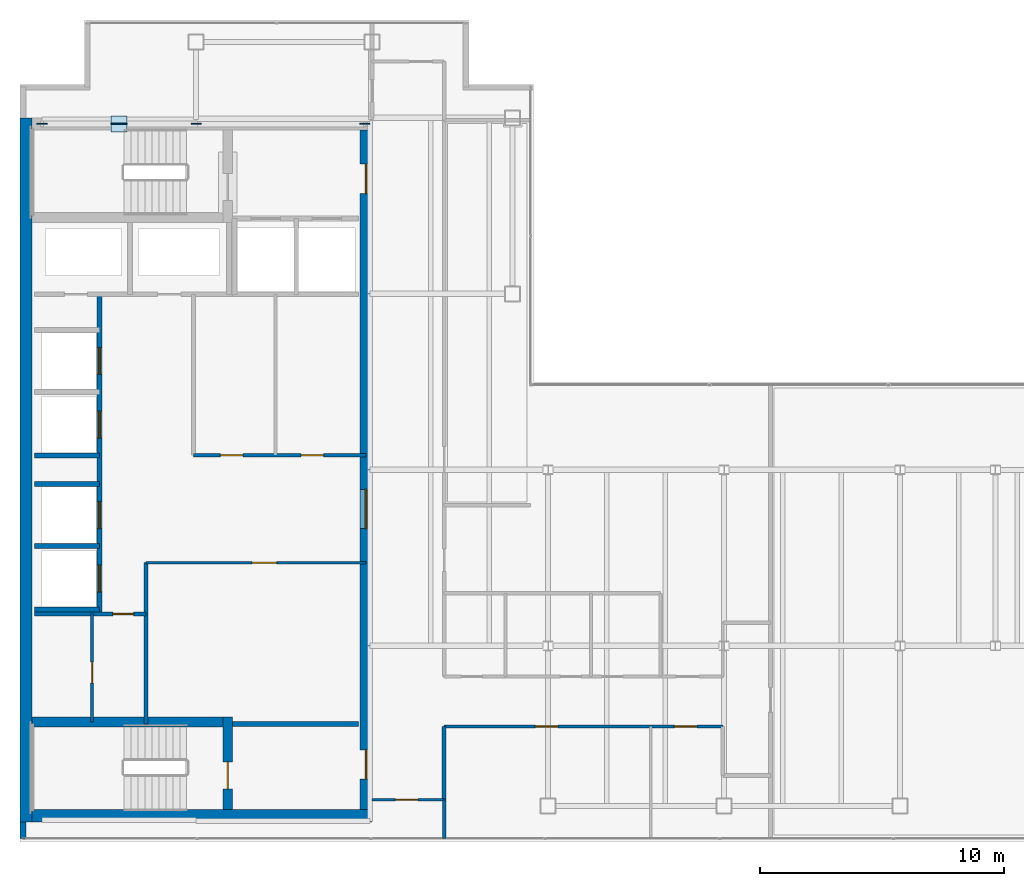
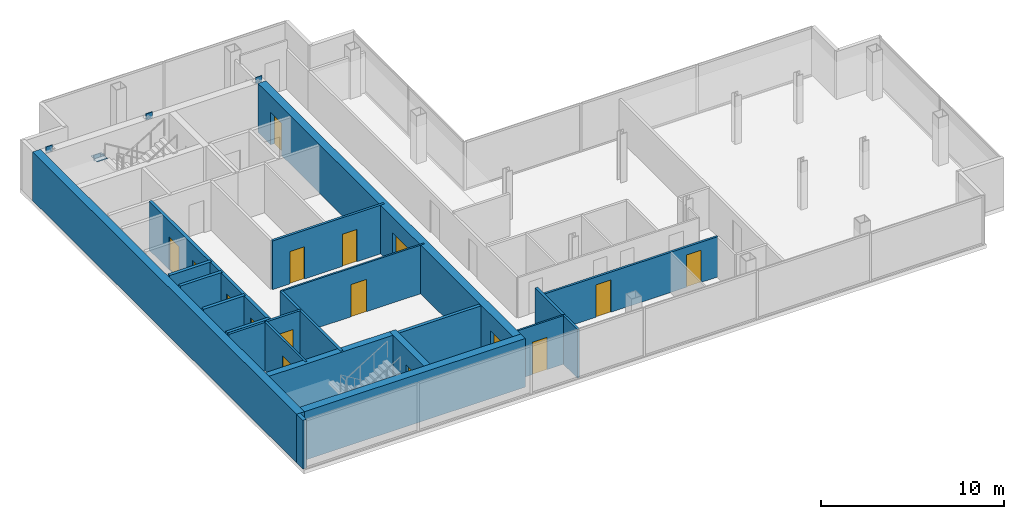
# One storey, part 20 of 23: 21 walls, 16 doors, 6 plates, 16 openings.
"""IFC4 building model written with IfcOpenShell, lengths in metres."""

from ifc_helpers import new_model, si_unit, direction, frame, frame_2d, origin, origin_2d, place, context, subcontext, project, spatial, rectangle, extrude, material, layer, layer_set, type_object, element, fill, save


model = new_model("IFC4")

# Units and contexts
model_context = context("Model", 3, precision=1e-05, world=origin(), true_north=direction((0.0, 1.0)))
body_context = subcontext(model_context, "Body", "Model", "MODEL_VIEW")
ifc_project = project(units=[si_unit("LENGTHUNIT", "METRE"), si_unit("AREAUNIT", "SQUARE_METRE"), si_unit("VOLUMEUNIT", "CUBIC_METRE"), si_unit("PLANEANGLEUNIT", "RADIAN"), si_unit("MASSUNIT", "GRAM", prefix="KILO")], contexts=[model_context])

# Site, building, storey
site_placement = place(None, origin())
site = spatial("IfcSite", under=ifc_project, at=site_placement, CompositionType="ELEMENT")
building_placement = place(site_placement, origin())
building = spatial("IfcBuilding", under=site, at=building_placement, Name="Cobrela Telecom Tower", CompositionType="ELEMENT")
storey_placement = place(building_placement, frame((0.0, 0.0, 272.64990234375)))
storey = spatial("IfcBuildingStorey", under=building, at=storey_placement, Name="L71", CompositionType="ELEMENT", Elevation=272.64990234375)

# Plates
ifc_material_1 = material(Name="Steel ASTM A572 Grade 50", Category="steel")
ifc_layer_1 = layer(ifc_material_1, 0.0419921875)
ifc_layer_set_1 = layer_set([ifc_layer_1], Name="Steel ASTM A572 Grade 50")
plate_type = type_object("IfcPlateType", Name="PLT-NODE-ND1", PredefinedType="USERDEFINED", material=ifc_layer_set_1)
for number, where, z_axis, x_axis, name in (
    (1, (7.199951171875, 35.75, 3.0751953125), (0.0, 0.0, 1.0), (1.0, 0.0, 0.0), "Steel node plate PLT-MBR-EXO-L71-N1-A-1"),
    (2, (4.173828125, 35.75, 1.349609375), (0.0, 0.0, 1.0), (-1.0, 0.0, 0.0), "Steel node plate PLT-MBR-EXO-L71-N1-B1-1"),
    (3, (3.926025390625, 35.75, 1.48046875), (0.0, 0.0, 1.0), (-1.0, 0.0, 0.0), "Steel node plate PLT-MBR-EXO-L71-N1-B2-0"),
    (4, (0.89990234375, 35.75, 3.0751953125), (0.0, 0.0, 1.0), (-1.0, 0.0, 0.0), "Steel node plate PLT-MBR-EXO-L71-N1-B2-1"),
):
    element("IfcPlate", number, at=place(storey_placement, frame(where, z_axis=z_axis, x_axis=x_axis)), inside=storey, type_object=plate_type, Name=name, ObjectType="GUSSET PLATE", PredefinedType="USERDEFINED", context=body_context, shape_type="SweptSolid", body=[
        extrude(rectangle(XDim=0.409912109375, YDim=0.044921875, at=origin_2d()), origin(), (0.0, 0.0, 1.0), 0.409912109375),
    ])
plate_1_placement = place(storey_placement, frame((4.050048828125, 35.75, 1.59765625), z_axis=(0.0, 0.0, 1.0), x_axis=(1.0, 0.0, 0.0)))
element("IfcPlate", 5, at=plate_1_placement, inside=storey, type_object=plate_type, Name="L71 Core Flange Steel X-Brace Central X-Crossing Gusset Plate", ObjectType="GUSSET PLATE", PredefinedType="USERDEFINED", context=body_context, shape_type="SweptSolid", body=[
    extrude(rectangle(XDim=0.64990234375, YDim=0.64990234375, at=origin_2d()), origin(), (0.0, 0.0, 1.0), 0.044921875),
])
plate_2_placement = place(storey_placement, frame((14.10009765625, 35.75, 3.0751953125), z_axis=(0.0, 0.0, 1.0), x_axis=(1.0, 0.0, 0.0)))
element("IfcPlate", 6, at=plate_2_placement, inside=storey, type_object=plate_type, Name="Steel node plate PLT-MBR-EXO-L71-N2-1", ObjectType="GUSSET PLATE", PredefinedType="USERDEFINED", context=body_context, shape_type="SweptSolid", body=[
    extrude(rectangle(XDim=0.409912109375, YDim=0.044921875, at=origin_2d()), origin(), (0.0, 0.0, 1.0), 0.409912109375),
])

# Walls
ifc_material_2 = material(Name="Concrete C40/50", Category="concrete")
ifc_layer_2 = layer(ifc_material_2, 0.5)
ifc_layer_set_2 = layer_set([ifc_layer_2], Name="Concrete C40/50")
wall_type_1 = type_object("IfcWallType", Name="WALL-CORE-C40-500", PredefinedType="SHEAR", material=ifc_layer_set_2)
wall_1_placement = place(storey_placement, frame((0.25, 7.199951171875, 0.0), z_axis=(0.0, 0.0, 1.0), x_axis=(0.0, 1.0, 0.0)))
element("IfcWall", 7, at=wall_1_placement, inside=storey, type_object=wall_type_1, Name="L71 West Core Shear Wall", PredefinedType="SHEAR", context=body_context, shape_type="SweptSolid", body=[
    extrude(rectangle(XDim=28.800048828125, YDim=0.5, at=frame_2d((14.39990234375, 0.0))), origin(), (0.0, 0.0, 1.0), 3.239990234375),
])
wall_2_placement = place(storey_placement, frame((0.5, 7.449951171875, 0.0), z_axis=(0.0, 0.0, 1.0), x_axis=(1.0, 0.0, 0.0)))
element("IfcWall", 8, at=wall_2_placement, inside=storey, type_object=wall_type_1, Name="L71 South Core Shear Wall", PredefinedType="SHEAR", context=body_context, shape_type="SweptSolid", body=[
    extrude(rectangle(XDim=13.89990234375, YDim=0.5, at=frame_2d((6.949951171875, 0.0))), origin(), (0.0, 0.0, 1.0), 3.239990234375),
])

# Wall, openings, doors
wall_3_placement = place(storey_placement, frame((14.14990234375, 35.5, 0.0), z_axis=(0.0, 0.0, 1.0), x_axis=(0.0, -1.0, 0.0)))
wall_3 = element("IfcWall", 9, at=wall_3_placement, inside=storey, type_object=wall_type_1, Name="L71 East Core Shear Wall", PredefinedType="SHEAR", context=body_context, shape_type="SweptSolid", body=[
    extrude(rectangle(XDim=27.800048828125, YDim=0.5, at=frame_2d((13.89990234375, 0.0))), origin(), (0.0, 0.0, 1.0), 3.239990234375),
])
opening_1_placement = place(wall_3_placement, frame((1.39990234375, 0.0, 0.0)))
opening_1 = element("IfcOpeningElement", 10, at=opening_1_placement, cuts=wall_3, Name="Opening DR-19", PredefinedType="OPENING", context=body_context, shape_type="SweptSolid", body=[
    extrude(rectangle(XDim=1.199951171875, YDim=2.14990234375, at=frame_2d((0.60009765625, 1.074951171875))), frame((0.0, 0.261962890625, 0.0), z_axis=(0.0, -1.0, 0.0), x_axis=(1.0, 0.0, 0.0)), (0.0, 0.0, 1.0), 0.52392578125),
])
opening_2_placement = place(wall_3_placement, frame((25.35009765625, 0.0, 0.0)))
opening_2 = element("IfcOpeningElement", 11, at=opening_2_placement, cuts=wall_3, Name="Opening DR-19", PredefinedType="OPENING", context=body_context, shape_type="SweptSolid", body=[
    extrude(rectangle(XDim=1.199951171875, YDim=2.14990234375, at=frame_2d((0.60009765625, 1.074951171875))), frame((0.0, 0.261962890625, 0.0), z_axis=(0.0, -1.0, 0.0), x_axis=(1.0, 0.0, 0.0)), (0.0, 0.0, 1.0), 0.52392578125),
])
opening_3_placement = place(wall_3_placement, frame((14.699951171875, 0.0, 0.0)))
opening_3 = element("IfcOpeningElement", 12, at=opening_3_placement, cuts=wall_3, Name="Opening DR-51", PredefinedType="OPENING", context=body_context, shape_type="SweptSolid", body=[
    extrude(rectangle(XDim=1.60009765625, YDim=2.199951171875, at=frame_2d((0.800048828125, 1.10009765625))), frame((0.0, 0.261962890625, 0.0), z_axis=(0.0, -1.0, 0.0), x_axis=(1.0, 0.0, 0.0)), (0.0, 0.0, 1.0), 0.52392578125),
])
ifc_material_3 = material(Name="Steel ASTM A36", Category="steel")
door_type_1 = type_object("IfcDoorType", Name="DOOR-FD60-1200", OperationType="SINGLE_SWING_LEFT", PredefinedType="DOOR", material=ifc_material_3)
door_1_placement = place(opening_1_placement, origin())
door_1 = element("IfcDoor", 13, at=door_1_placement, inside=storey, type_object=door_type_1, Name="L71 Door DR-19", OperationType="SINGLE_SWING_LEFT", OverallHeight=2.14990234375, OverallWidth=1.199951171875, PredefinedType="DOOR", context=body_context, shape_type="SweptSolid", body=[
    extrude(rectangle(XDim=1.199951171875, YDim=2.14990234375, at=frame_2d((0.60009765625, 1.074951171875))), frame((0.0, 0.02490234375, 0.0), z_axis=(0.0, -1.0, 0.0), x_axis=(1.0, 0.0, 0.0)), (0.0, 0.0, 1.0), 0.050048828125),
])
fill(opening_1, door_1)
door_2_placement = place(opening_2_placement, origin())
door_2 = element("IfcDoor", 14, at=door_2_placement, inside=storey, type_object=door_type_1, Name="L71 Door DR-19", OperationType="SINGLE_SWING_RIGHT", OverallHeight=2.14990234375, OverallWidth=1.199951171875, PredefinedType="DOOR", context=body_context, shape_type="SweptSolid", body=[
    extrude(rectangle(XDim=1.199951171875, YDim=2.14990234375, at=frame_2d((0.60009765625, 1.074951171875))), frame((0.0, 0.02490234375, 0.0), z_axis=(0.0, -1.0, 0.0), x_axis=(1.0, 0.0, 0.0)), (0.0, 0.0, 1.0), 0.050048828125),
])
fill(opening_2, door_2)
door_type_2 = type_object("IfcDoorType", Name="DOOR-FD60-1600", OperationType="SINGLE_SWING_LEFT", PredefinedType="DOOR", material=ifc_material_3)
door_3_placement = place(opening_3_placement, origin())
door_3 = element("IfcDoor", 15, at=door_3_placement, inside=storey, type_object=door_type_2, Name="L71 Door DR-51", OperationType="DOUBLE_DOOR_SINGLE_SWING", OverallHeight=2.199951171875, OverallWidth=1.60009765625, PredefinedType="DOOR", context=body_context, shape_type="SweptSolid", body=[
    extrude(rectangle(XDim=1.60009765625, YDim=2.199951171875, at=frame_2d((0.800048828125, 1.10009765625))), frame((0.0, 0.02490234375, 0.0), z_axis=(0.0, -1.0, 0.0), x_axis=(1.0, 0.0, 0.0)), (0.0, 0.0, 1.0), 0.050048828125),
])
fill(opening_3, door_3)

# Wall
ifc_layer_3 = layer(ifc_material_2, 0.239990234375)
ifc_layer_set_3 = layer_set([ifc_layer_3], Name="Concrete C40/50")
wall_type_2 = type_object("IfcWallType", Name="WALL-EXT-300", PredefinedType="STANDARD", material=ifc_layer_set_3)
wall_4_placement = place(storey_placement, frame((0.1201171875, 6.52001953125, 0.0), z_axis=(0.0, 0.0, 1.0), x_axis=(0.0, 1.0, 0.0)))
element("IfcWall", 16, at=wall_4_placement, inside=storey, type_object=wall_type_2, Name="L71 Insulated Facade Wall 01", PredefinedType="STANDARD", context=body_context, shape_type="SweptSolid", body=[
    extrude(rectangle(XDim=0.679931640625, YDim=0.239990234375, at=frame_2d((0.33984375, 0.0))), origin(), (0.0, 0.0, 1.0), 3.239990234375),
])

# Wall, opening, door
ifc_material_4 = material(Name="Fire-Rated Gypsum Plasterboard")
ifc_layer_4 = layer(ifc_material_4, 0.110107421875)
ifc_layer_set_4 = layer_set([ifc_layer_4], Name="Fire-Rated Gypsum Plasterboard")
wall_type_3 = type_object("IfcWallType", Name="WALL-PART-110", PredefinedType="PARTITIONING", material=ifc_layer_set_4)
wall_5_placement = place(storey_placement, frame((5.14990234375, 17.800048828125, 0.0), z_axis=(0.0, 0.0, 1.0), x_axis=(1.0, 0.0, 0.0)))
wall_5 = element("IfcWall", 17, at=wall_5_placement, inside=storey, type_object=wall_type_3, Name="L71 Interior Partition CW-RECM-N", PredefinedType="PARTITIONING", context=body_context, shape_type="SweptSolid", body=[
    extrude(rectangle(XDim=9.0, YDim=0.110107421875, at=frame_2d((4.5, 0.0))), origin(), (0.0, 0.0, 1.0), 3.239990234375),
])
opening_4_placement = place(wall_5_placement, frame((4.35009765625, 0.0, 0.0)))
opening_4 = element("IfcOpeningElement", 18, at=opening_4_placement, cuts=wall_5, Name="Opening DR-31", PredefinedType="OPENING", context=body_context, shape_type="SweptSolid", body=[
    extrude(rectangle(XDim=1.0, YDim=2.14990234375, at=frame_2d((0.5, 1.074951171875))), frame((0.0, 0.06689453125, 0.0), z_axis=(0.0, -1.0, 0.0), x_axis=(1.0, 0.0, 0.0)), (0.0, 0.0, 1.0), 0.134033203125),
])
ifc_material_5 = material(Name="Solid Engineered Oak Timber", Category="wood")
door_type_3 = type_object("IfcDoorType", Name="DOOR-INT-1000", OperationType="SINGLE_SWING_LEFT", PredefinedType="DOOR", material=ifc_material_5)
door_4_placement = place(opening_4_placement, origin())
door_4 = element("IfcDoor", 19, at=door_4_placement, inside=storey, type_object=door_type_3, Name="L71 Door DR-31", OperationType="SINGLE_SWING_LEFT", OverallHeight=2.14990234375, OverallWidth=1.0, PredefinedType="DOOR", context=body_context, shape_type="SweptSolid", body=[
    extrude(rectangle(XDim=1.0, YDim=2.14990234375, at=frame_2d((0.5, 1.074951171875))), frame((0.0, 0.02490234375, 0.0), z_axis=(0.0, -1.0, 0.0), x_axis=(1.0, 0.0, 0.0)), (0.0, 0.0, 1.0), 0.050048828125),
])
fill(opening_4, door_4)

wall_6_placement = place(storey_placement, frame((14.39990234375, 8.10009765625, 0.0), z_axis=(0.0, 0.0, 1.0), x_axis=(1.0, 0.0, 0.0)))
wall_6 = element("IfcWall", 20, at=wall_6_placement, inside=storey, type_object=wall_type_3, Name="L71 Interior Partition W-C-S0", PredefinedType="PARTITIONING", context=body_context, shape_type="SweptSolid", body=[
    extrude(rectangle(XDim=2.9501953125, YDim=0.110107421875, at=frame_2d((1.47509765625, 0.0))), origin(), (0.0, 0.0, 1.0), 3.239990234375),
])
opening_5_placement = place(wall_6_placement, frame((0.949951171875, 0.0, 0.0)))
opening_5 = element("IfcOpeningElement", 21, at=opening_5_placement, cuts=wall_6, Name="Opening DR-45", PredefinedType="OPENING", context=body_context, shape_type="SweptSolid", body=[
    extrude(rectangle(XDim=0.919921875, YDim=2.14990234375, at=frame_2d((0.4599609375, 1.074951171875))), frame((0.0, 0.06689453125, 0.0), z_axis=(0.0, -1.0, 0.0), x_axis=(1.0, 0.0, 0.0)), (0.0, 0.0, 1.0), 0.134033203125),
])
door_type_4 = type_object("IfcDoorType", Name="DOOR-INT-920", OperationType="SINGLE_SWING_LEFT", PredefinedType="DOOR", material=ifc_material_5)
door_5_placement = place(opening_5_placement, origin())
door_5 = element("IfcDoor", 22, at=door_5_placement, inside=storey, type_object=door_type_4, Name="L71 Door DR-45", OperationType="SINGLE_SWING_RIGHT", OverallHeight=2.14990234375, OverallWidth=0.919921875, PredefinedType="DOOR", context=body_context, shape_type="SweptSolid", body=[
    extrude(rectangle(XDim=0.919921875, YDim=2.14990234375, at=frame_2d((0.4599609375, 1.074951171875))), frame((0.0, 0.02490234375, 0.0), z_axis=(0.0, -1.0, 0.0), x_axis=(1.0, 0.0, 0.0)), (0.0, 0.0, 1.0), 0.050048828125),
])
fill(opening_5, door_5)

ifc_layer_5 = layer(ifc_material_4, 0.125)
ifc_layer_set_5 = layer_set([ifc_layer_5], Name="Fire-Rated Gypsum Plasterboard")
wall_type_4 = type_object("IfcWallType", Name="WALL-PART-125", PredefinedType="PARTITIONING", material=ifc_layer_set_5)
wall_7_placement = place(storey_placement, frame((2.949951171875, 11.280029296875, 0.0), z_axis=(0.0, 0.0, 1.0), x_axis=(0.0, 1.0, 0.0)))
wall_7 = element("IfcWall", 23, at=wall_7_placement, inside=storey, type_object=wall_type_4, Name="L71 Interior Partition CW-FK1-V", PredefinedType="PARTITIONING", context=body_context, shape_type="SweptSolid", body=[
    extrude(rectangle(XDim=4.419921875, YDim=0.125, at=frame_2d((2.2099609375, 0.0))), origin(), (0.0, 0.0, 1.0), 3.239990234375),
])
opening_6_placement = place(wall_7_placement, frame((1.60009765625, 0.0, 0.0)))
opening_6 = element("IfcOpeningElement", 24, at=opening_6_placement, cuts=wall_7, Name="Opening DR-11", PredefinedType="OPENING", context=body_context, shape_type="SweptSolid", body=[
    extrude(rectangle(XDim=0.85009765625, YDim=2.14990234375, at=frame_2d((0.425048828125, 1.074951171875))), frame((0.0, 0.074462890625, 0.0), z_axis=(0.0, -1.0, 0.0), x_axis=(1.0, 0.0, 0.0)), (0.0, 0.0, 1.0), 0.14892578125),
])
door_type_5 = type_object("IfcDoorType", Name="DOOR-INT-850", OperationType="SINGLE_SWING_LEFT", PredefinedType="DOOR", material=ifc_material_5)
door_6_placement = place(opening_6_placement, origin())
door_6 = element("IfcDoor", 25, at=door_6_placement, inside=storey, type_object=door_type_5, Name="L71 Door DR-11", OperationType="SINGLE_SWING_RIGHT", OverallHeight=2.14990234375, OverallWidth=0.85009765625, PredefinedType="DOOR", context=body_context, shape_type="SweptSolid", body=[
    extrude(rectangle(XDim=0.85009765625, YDim=2.14990234375, at=frame_2d((0.425048828125, 1.074951171875))), frame((0.0, 0.02490234375, 0.0), z_axis=(0.0, -1.0, 0.0), x_axis=(1.0, 0.0, 0.0)), (0.0, 0.0, 1.0), 0.050048828125),
])
fill(opening_6, door_6)

# Wall, openings, doors
ifc_layer_6 = layer(ifc_material_4, 0.135009765625)
ifc_layer_set_6 = layer_set([ifc_layer_6], Name="Fire-Rated Gypsum Plasterboard")
wall_type_5 = type_object("IfcWallType", Name="WALL-PART-135", PredefinedType="PARTITIONING", material=ifc_layer_set_6)
wall_8_placement = place(storey_placement, frame((17.35009765625, 11.10009765625, 0.0), z_axis=(0.0, 0.0, 1.0), x_axis=(1.0, 0.0, 0.0)))
wall_8 = element("IfcWall", 26, at=wall_8_placement, inside=storey, type_object=wall_type_5, Name="L71 Interior Partition W-C-HS", PredefinedType="PARTITIONING", context=body_context, shape_type="SweptSolid", body=[
    extrude(rectangle(XDim=11.39990234375, YDim=0.135009765625, at=frame_2d((5.699951171875, 0.0))), origin(), (0.0, 0.0, 1.0), 2.676025390625),
])
opening_7_placement = place(wall_8_placement, frame((3.72998046875, 0.0, 0.0)))
opening_7 = element("IfcOpeningElement", 27, at=opening_7_placement, cuts=wall_8, Name="Opening DR-45", PredefinedType="OPENING", context=body_context, shape_type="SweptSolid", body=[
    extrude(rectangle(XDim=0.919921875, YDim=2.14990234375, at=frame_2d((0.4599609375, 1.074951171875))), frame((0.0, 0.07958984375, 0.0), z_axis=(0.0, -1.0, 0.0), x_axis=(1.0, 0.0, 0.0)), (0.0, 0.0, 1.0), 0.158935546875),
])
opening_8_placement = place(wall_8_placement, frame((9.419921875, 0.0, 0.0)))
opening_8 = element("IfcOpeningElement", 28, at=opening_8_placement, cuts=wall_8, Name="Opening DR-45", PredefinedType="OPENING", context=body_context, shape_type="SweptSolid", body=[
    extrude(rectangle(XDim=0.919921875, YDim=2.14990234375, at=frame_2d((0.4599609375, 1.074951171875))), frame((0.0, 0.07958984375, 0.0), z_axis=(0.0, -1.0, 0.0), x_axis=(1.0, 0.0, 0.0)), (0.0, 0.0, 1.0), 0.158935546875),
])
door_7_placement = place(opening_7_placement, origin())
door_7 = element("IfcDoor", 29, at=door_7_placement, inside=storey, type_object=door_type_4, Name="L71 Door DR-45", OperationType="SINGLE_SWING_LEFT", OverallHeight=2.14990234375, OverallWidth=0.919921875, PredefinedType="DOOR", context=body_context, shape_type="SweptSolid", body=[
    extrude(rectangle(XDim=0.919921875, YDim=2.14990234375, at=frame_2d((0.4599609375, 1.074951171875))), frame((0.0, 0.02490234375, 0.0), z_axis=(0.0, -1.0, 0.0), x_axis=(1.0, 0.0, 0.0)), (0.0, 0.0, 1.0), 0.050048828125),
])
fill(opening_7, door_7)
door_8_placement = place(opening_8_placement, origin())
door_8 = element("IfcDoor", 30, at=door_8_placement, inside=storey, type_object=door_type_4, Name="L71 Door DR-45", OperationType="SINGLE_SWING_RIGHT", OverallHeight=2.14990234375, OverallWidth=0.919921875, PredefinedType="DOOR", context=body_context, shape_type="SweptSolid", body=[
    extrude(rectangle(XDim=0.919921875, YDim=2.14990234375, at=frame_2d((0.4599609375, 1.074951171875))), frame((0.0, 0.02490234375, 0.0), z_axis=(0.0, -1.0, 0.0), x_axis=(1.0, 0.0, 0.0)), (0.0, 0.0, 1.0), 0.050048828125),
])
fill(opening_8, door_8)

# Wall
wall_9_placement = place(storey_placement, frame((17.35009765625, 6.52001953125, 0.0), z_axis=(0.0, 0.0, 1.0), x_axis=(0.0, 1.0, 0.0)))
element("IfcWall", 31, at=wall_9_placement, inside=storey, type_object=wall_type_5, Name="L71 Interior Partition W-SW-E", PredefinedType="PARTITIONING", context=body_context, shape_type="SweptSolid", body=[
    extrude(rectangle(XDim=1.580078125, YDim=0.135009765625, at=frame_2d((0.7900390625, 0.0))), origin(), (0.0, 0.0, 1.0), 3.239990234375),
])

# Wall, openings, doors
ifc_layer_7 = layer(ifc_material_4, 0.14990234375)
ifc_layer_set_7 = layer_set([ifc_layer_7], Name="Fire-Rated Gypsum Plasterboard")
wall_type_6 = type_object("IfcWallType", Name="WALL-PART-150", PredefinedType="PARTITIONING", material=ifc_layer_set_7)
wall_10_placement = place(storey_placement, frame((7.10009765625, 22.199951171875, 0.0), z_axis=(0.0, 0.0, 1.0), x_axis=(1.0, 0.0, 0.0)))
wall_10 = element("IfcWall", 32, at=wall_10_placement, inside=storey, type_object=wall_type_6, Name="L71 Interior Partition CW-RECL-S", PredefinedType="PARTITIONING", context=body_context, shape_type="SweptSolid", body=[
    extrude(rectangle(XDim=7.0498046875, YDim=0.14990234375, at=frame_2d((3.52490234375, 0.0))), origin(), (0.0, 0.0, 1.0), 3.239990234375),
])
opening_9_placement = place(wall_10_placement, frame((1.10009765625, 0.0, 0.0)))
opening_9 = element("IfcOpeningElement", 33, at=opening_9_placement, cuts=wall_10, Name="Opening DR-45", PredefinedType="OPENING", context=body_context, shape_type="SweptSolid", body=[
    extrude(rectangle(XDim=0.919921875, YDim=2.14990234375, at=frame_2d((0.4599609375, 1.074951171875))), frame((0.0, 0.0869140625, 0.0), z_axis=(0.0, -1.0, 0.0), x_axis=(1.0, 0.0, 0.0)), (0.0, 0.0, 1.0), 0.173828125),
])
opening_10_placement = place(wall_10_placement, frame((4.39990234375, 0.0, 0.0)))
opening_10 = element("IfcOpeningElement", 34, at=opening_10_placement, cuts=wall_10, Name="Opening DR-45", PredefinedType="OPENING", context=body_context, shape_type="SweptSolid", body=[
    extrude(rectangle(XDim=0.919921875, YDim=2.14990234375, at=frame_2d((0.4599609375, 1.074951171875))), frame((0.0, 0.0869140625, 0.0), z_axis=(0.0, -1.0, 0.0), x_axis=(1.0, 0.0, 0.0)), (0.0, 0.0, 1.0), 0.173828125),
])
door_9_placement = place(opening_9_placement, origin())
door_9 = element("IfcDoor", 35, at=door_9_placement, inside=storey, type_object=door_type_4, Name="L71 Door DR-45", OperationType="SINGLE_SWING_LEFT", OverallHeight=2.14990234375, OverallWidth=0.919921875, PredefinedType="DOOR", context=body_context, shape_type="SweptSolid", body=[
    extrude(rectangle(XDim=0.919921875, YDim=2.14990234375, at=frame_2d((0.4599609375, 1.074951171875))), frame((0.0, 0.02490234375, 0.0), z_axis=(0.0, -1.0, 0.0), x_axis=(1.0, 0.0, 0.0)), (0.0, 0.0, 1.0), 0.050048828125),
])
fill(opening_9, door_9)
door_10_placement = place(opening_10_placement, origin())
door_10 = element("IfcDoor", 36, at=door_10_placement, inside=storey, type_object=door_type_4, Name="L71 Door DR-45", OperationType="SINGLE_SWING_RIGHT", OverallHeight=2.14990234375, OverallWidth=0.919921875, PredefinedType="DOOR", context=body_context, shape_type="SweptSolid", body=[
    extrude(rectangle(XDim=0.919921875, YDim=2.14990234375, at=frame_2d((0.4599609375, 1.074951171875))), frame((0.0, 0.02490234375, 0.0), z_axis=(0.0, -1.0, 0.0), x_axis=(1.0, 0.0, 0.0)), (0.0, 0.0, 1.0), 0.050048828125),
])
fill(opening_10, door_10)

# Wall, opening, door
wall_11_placement = place(storey_placement, frame((0.60009765625, 15.699951171875, 0.0), z_axis=(0.0, 0.0, 1.0), x_axis=(1.0, 0.0, 0.0)))
wall_11 = element("IfcWall", 37, at=wall_11_placement, inside=storey, type_object=wall_type_6, Name="L71 Interior Partition CW-FLEX-N", PredefinedType="PARTITIONING", context=body_context, shape_type="SweptSolid", body=[
    extrude(rectangle(XDim=4.5498046875, YDim=0.14990234375, at=frame_2d((2.27490234375, 0.0))), origin(), (0.0, 0.0, 1.0), 3.239990234375),
])
opening_11_placement = place(wall_11_placement, frame((3.199951171875, 0.0, 0.0)))
opening_11 = element("IfcOpeningElement", 38, at=opening_11_placement, cuts=wall_11, Name="Opening DR-11", PredefinedType="OPENING", context=body_context, shape_type="SweptSolid", body=[
    extrude(rectangle(XDim=0.85009765625, YDim=2.14990234375, at=frame_2d((0.425048828125, 1.074951171875))), frame((0.0, 0.0869140625, 0.0), z_axis=(0.0, -1.0, 0.0), x_axis=(1.0, 0.0, 0.0)), (0.0, 0.0, 1.0), 0.173828125),
])
door_11_placement = place(opening_11_placement, origin())
door_11 = element("IfcDoor", 39, at=door_11_placement, inside=storey, type_object=door_type_5, Name="L71 Door DR-11", OperationType="SINGLE_SWING_LEFT", OverallHeight=2.14990234375, OverallWidth=0.85009765625, PredefinedType="DOOR", context=body_context, shape_type="SweptSolid", body=[
    extrude(rectangle(XDim=0.85009765625, YDim=2.14990234375, at=frame_2d((0.425048828125, 1.074951171875))), frame((0.0, 0.02490234375, 0.0), z_axis=(0.0, -1.0, 0.0), x_axis=(1.0, 0.0, 0.0)), (0.0, 0.0, 1.0), 0.050048828125),
])
fill(opening_11, door_11)

# Walls
ifc_layer_8 = layer(ifc_material_4, 0.159912109375)
ifc_layer_set_8 = layer_set([ifc_layer_8], Name="Fire-Rated Gypsum Plasterboard")
wall_type_7 = type_object("IfcWallType", Name="WALL-PART-160", PredefinedType="PARTITIONING", material=ifc_layer_set_8)
wall_12_placement = place(storey_placement, frame((5.14990234375, 11.199951171875, 0.0), z_axis=(0.0, 0.0, 1.0), x_axis=(0.0, 1.0, 0.0)))
element("IfcWall", 40, at=wall_12_placement, inside=storey, type_object=wall_type_7, Name="L71 Interior Partition CW-RECM-W", PredefinedType="PARTITIONING", context=body_context, shape_type="SweptSolid", body=[
    extrude(rectangle(XDim=6.60009765625, YDim=0.159912109375, at=frame_2d((3.300048828125, 0.0))), origin(), (0.0, 0.0, 1.0), 3.239990234375),
])
wall_13_placement = place(storey_placement, frame((17.35009765625, 8.10009765625, 0.0), z_axis=(0.0, 0.0, 1.0), x_axis=(0.0, 1.0, 0.0)))
element("IfcWall", 41, at=wall_13_placement, inside=storey, type_object=wall_type_7, Name="L71 Interior Partition W-C-E1", PredefinedType="PARTITIONING", context=body_context, shape_type="SweptSolid", body=[
    extrude(rectangle(XDim=3.0, YDim=0.159912109375, at=frame_2d((1.5, 0.0))), origin(), (0.0, 0.0, 1.0), 3.239990234375),
])
ifc_layer_9 = layer(ifc_material_4, 0.199951171875)
ifc_layer_set_9 = layer_set([ifc_layer_9], Name="Fire-Rated Gypsum Plasterboard")
wall_type_8 = type_object("IfcWallType", Name="WALL-SHAFT-200", PredefinedType="PARTITIONING", material=ifc_layer_set_9)
wall_14_placement = place(storey_placement, frame((8.699951171875, 11.199951171875, 0.0), z_axis=(0.0, 0.0, 1.0), x_axis=(1.0, 0.0, 0.0)))
element("IfcWall", 42, at=wall_14_placement, inside=storey, type_object=wall_type_8, Name="L71 Shaft Enclosure CW-ST2L-N", PredefinedType="PARTITIONING", context=body_context, shape_type="SweptSolid", body=[
    extrude(rectangle(XDim=5.150146484375, YDim=0.199951171875, at=frame_2d((2.5751953125, 0.0))), origin(), (0.0, 0.0, 1.0), 3.239990234375),
])

# Wall, openings, doors
wall_15_placement = place(storey_placement, frame((3.25, 15.699951171875, 0.0), z_axis=(0.0, 0.0, 1.0), x_axis=(0.0, 1.0, 0.0)))
wall_15 = element("IfcWall", 43, at=wall_15_placement, inside=storey, type_object=wall_type_8, Name="L71 Shaft Enclosure CW-PLH-E", PredefinedType="PARTITIONING", context=body_context, shape_type="SweptSolid", body=[
    extrude(rectangle(XDim=13.080078125, YDim=0.199951171875, at=frame_2d((6.5400390625, 0.0))), origin(), (0.0, 0.0, 1.0), 3.239990234375),
])
opening_12_placement = place(wall_15_placement, frame((0.89990234375, 0.0, 0.0)))
opening_12 = element("IfcOpeningElement", 44, at=opening_12_placement, cuts=wall_15, Name="Opening LD-1", PredefinedType="OPENING", context=body_context, shape_type="SweptSolid", body=[
    extrude(rectangle(XDim=1.10009765625, YDim=2.199951171875, at=frame_2d((0.550048828125, 1.10009765625))), frame((0.0, 0.11181640625, 0.0), z_axis=(0.0, -1.0, 0.0), x_axis=(1.0, 0.0, 0.0)), (0.0, 0.0, 1.0), 0.223876953125),
])
opening_13_placement = place(wall_15_placement, frame((3.5, 0.0, 0.0)))
opening_13 = element("IfcOpeningElement", 45, at=opening_13_placement, cuts=wall_15, Name="Opening LD-1", PredefinedType="OPENING", context=body_context, shape_type="SweptSolid", body=[
    extrude(rectangle(XDim=1.10009765625, YDim=2.199951171875, at=frame_2d((0.550048828125, 1.10009765625))), frame((0.0, 0.11181640625, 0.0), z_axis=(0.0, -1.0, 0.0), x_axis=(1.0, 0.0, 0.0)), (0.0, 0.0, 1.0), 0.223876953125),
])
opening_14_placement = place(wall_15_placement, frame((7.199951171875, 0.0, 0.0)))
opening_14 = element("IfcOpeningElement", 46, at=opening_14_placement, cuts=wall_15, Name="Opening LD-1", PredefinedType="OPENING", context=body_context, shape_type="SweptSolid", body=[
    extrude(rectangle(XDim=1.10009765625, YDim=2.199951171875, at=frame_2d((0.550048828125, 1.10009765625))), frame((0.0, 0.11181640625, 0.0), z_axis=(0.0, -1.0, 0.0), x_axis=(1.0, 0.0, 0.0)), (0.0, 0.0, 1.0), 0.223876953125),
])
opening_15_placement = place(wall_15_placement, frame((9.800048828125, 0.0, 0.0)))
opening_15 = element("IfcOpeningElement", 47, at=opening_15_placement, cuts=wall_15, Name="Opening LD-1", PredefinedType="OPENING", context=body_context, shape_type="SweptSolid", body=[
    extrude(rectangle(XDim=1.10009765625, YDim=2.199951171875, at=frame_2d((0.550048828125, 1.10009765625))), frame((0.0, 0.11181640625, 0.0), z_axis=(0.0, -1.0, 0.0), x_axis=(1.0, 0.0, 0.0)), (0.0, 0.0, 1.0), 0.223876953125),
])
door_type_6 = type_object("IfcDoorType", Name="DOOR-LD-PL", OperationType="SINGLE_SWING_LEFT", PredefinedType="DOOR", material=ifc_material_3)
door_12_placement = place(opening_12_placement, origin())
door_12 = element("IfcDoor", 48, at=door_12_placement, inside=storey, type_object=door_type_6, Name="L71 Lift Landing Door LD-1", OperationType="DOUBLE_DOOR_SLIDING", OverallHeight=2.199951171875, OverallWidth=1.10009765625, PredefinedType="DOOR", context=body_context, shape_type="SweptSolid", body=[
    extrude(rectangle(XDim=1.10009765625, YDim=2.199951171875, at=frame_2d((0.550048828125, 1.10009765625))), frame((0.0, 0.02490234375, 0.0), z_axis=(0.0, -1.0, 0.0), x_axis=(1.0, 0.0, 0.0)), (0.0, 0.0, 1.0), 0.050048828125),
])
fill(opening_12, door_12)
door_13_placement = place(opening_13_placement, origin())
door_13 = element("IfcDoor", 49, at=door_13_placement, inside=storey, type_object=door_type_6, Name="L71 Lift Landing Door LD-1", OperationType="DOUBLE_DOOR_SLIDING", OverallHeight=2.199951171875, OverallWidth=1.10009765625, PredefinedType="DOOR", context=body_context, shape_type="SweptSolid", body=[
    extrude(rectangle(XDim=1.10009765625, YDim=2.199951171875, at=frame_2d((0.550048828125, 1.10009765625))), frame((0.0, 0.02490234375, 0.0), z_axis=(0.0, -1.0, 0.0), x_axis=(1.0, 0.0, 0.0)), (0.0, 0.0, 1.0), 0.050048828125),
])
fill(opening_13, door_13)
door_14_placement = place(opening_14_placement, origin())
door_14 = element("IfcDoor", 50, at=door_14_placement, inside=storey, type_object=door_type_6, Name="L71 Lift Landing Door LD-1", OperationType="DOUBLE_DOOR_SLIDING", OverallHeight=2.199951171875, OverallWidth=1.10009765625, PredefinedType="DOOR", context=body_context, shape_type="SweptSolid", body=[
    extrude(rectangle(XDim=1.10009765625, YDim=2.199951171875, at=frame_2d((0.550048828125, 1.10009765625))), frame((0.0, 0.02490234375, 0.0), z_axis=(0.0, -1.0, 0.0), x_axis=(1.0, 0.0, 0.0)), (0.0, 0.0, 1.0), 0.050048828125),
])
fill(opening_14, door_14)
door_15_placement = place(opening_15_placement, origin())
door_15 = element("IfcDoor", 51, at=door_15_placement, inside=storey, type_object=door_type_6, Name="L71 Lift Landing Door LD-1", OperationType="DOUBLE_DOOR_SLIDING", OverallHeight=2.199951171875, OverallWidth=1.10009765625, PredefinedType="DOOR", context=body_context, shape_type="SweptSolid", body=[
    extrude(rectangle(XDim=1.10009765625, YDim=2.199951171875, at=frame_2d((0.550048828125, 1.10009765625))), frame((0.0, 0.02490234375, 0.0), z_axis=(0.0, -1.0, 0.0), x_axis=(1.0, 0.0, 0.0)), (0.0, 0.0, 1.0), 0.050048828125),
])
fill(opening_15, door_15)

# Walls
for number, where, z_axis, x_axis, name in (
    (52, (0.60009765625, 15.8798828125, 0.0), (0.0, 0.0, 1.0), (1.0, 0.0, 0.0), "L71 Shaft Enclosure CW-PLH-D9"),
    (53, (0.60009765625, 18.47998046875, 0.0), (0.0, 0.0, 1.0), (1.0, 0.0, 0.0), "L71 Shaft Enclosure CW-PLH-D10"),
    (54, (0.60009765625, 22.179931640625, 0.0), (0.0, 0.0, 1.0), (1.0, 0.0, 0.0), "L71 Shaft Enclosure CW-PLH-D11"),
    (55, (0.60009765625, 21.02001953125, 0.0), (0.0, 0.0, 1.0), (1.0, 0.0, 0.0), "L71 Shaft Enclosure CW-PLH-MID"),
):
    element("IfcWall", number, at=place(storey_placement, frame(where, z_axis=z_axis, x_axis=x_axis)), inside=storey, type_object=wall_type_8, Name=name, PredefinedType="PARTITIONING", context=body_context, shape_type="SweptSolid", body=[
        extrude(rectangle(XDim=2.64990234375, YDim=0.199951171875, at=frame_2d((1.324951171875, 0.0))), origin(), (0.0, 0.0, 1.0), 3.239990234375),
    ])
ifc_layer_10 = layer(ifc_material_2, 0.39990234375)
ifc_layer_set_10 = layer_set([ifc_layer_10], Name="Concrete C40/50")
wall_type_9 = type_object("IfcWallType", Name="WALL-SHAFT-C40-400", PredefinedType="SHEAR", material=ifc_layer_set_10)
wall_16_placement = place(storey_placement, frame((0.5, 11.280029296875, 0.0), z_axis=(0.0, 0.0, 1.0), x_axis=(1.0, 0.0, 0.0)))
element("IfcWall", 56, at=wall_16_placement, inside=storey, type_object=wall_type_9, Name="L71 South Stair Shear Wall", PredefinedType="SHEAR", context=body_context, shape_type="SweptSolid", body=[
    extrude(rectangle(XDim=7.800048828125, YDim=0.39990234375, at=frame_2d((3.89990234375, 0.0))), origin(), (0.0, 0.0, 1.0), 3.239990234375),
])

# Wall, opening, door
wall_17_placement = place(storey_placement, frame((8.5, 7.699951171875, 0.0), z_axis=(0.0, 0.0, 1.0), x_axis=(0.0, 1.0, 0.0)))
wall_17 = element("IfcWall", 57, at=wall_17_placement, inside=storey, type_object=wall_type_9, Name="L71 South Stair Lobby Shear Wall", PredefinedType="SHEAR", context=body_context, shape_type="SweptSolid", body=[
    extrude(rectangle(XDim=3.780029296875, YDim=0.39990234375, at=frame_2d((1.89013671875, 0.0))), origin(), (0.0, 0.0, 1.0), 3.239990234375),
])
opening_16_placement = place(wall_17_placement, frame((0.85009765625, 0.0, 0.0)))
opening_16 = element("IfcOpeningElement", 58, at=opening_16_placement, cuts=wall_17, Name="Opening FD-90", PredefinedType="OPENING", context=body_context, shape_type="SweptSolid", body=[
    extrude(rectangle(XDim=1.10009765625, YDim=2.14990234375, at=frame_2d((0.550048828125, 1.074951171875))), frame((0.0, 0.2119140625, 0.0), z_axis=(0.0, -1.0, 0.0), x_axis=(1.0, 0.0, 0.0)), (0.0, 0.0, 1.0), 0.423828125),
])
door_type_7 = type_object("IfcDoorType", Name="DOOR-FD90-1100", OperationType="SINGLE_SWING_LEFT", PredefinedType="DOOR", material=ifc_material_3)
door_16_placement = place(opening_16_placement, origin())
door_16 = element("IfcDoor", 59, at=door_16_placement, inside=storey, type_object=door_type_7, Name="L71 Door FD-90", OperationType="SINGLE_SWING_LEFT", OverallHeight=2.14990234375, OverallWidth=1.10009765625, PredefinedType="DOOR", context=body_context, shape_type="SweptSolid", body=[
    extrude(rectangle(XDim=1.10009765625, YDim=2.14990234375, at=frame_2d((0.550048828125, 1.074951171875))), frame((0.0, 0.02490234375, 0.0), z_axis=(0.0, -1.0, 0.0), x_axis=(1.0, 0.0, 0.0)), (0.0, 0.0, 1.0), 0.050048828125),
])
fill(opening_16, door_16)

save(model, "model.ifc")
